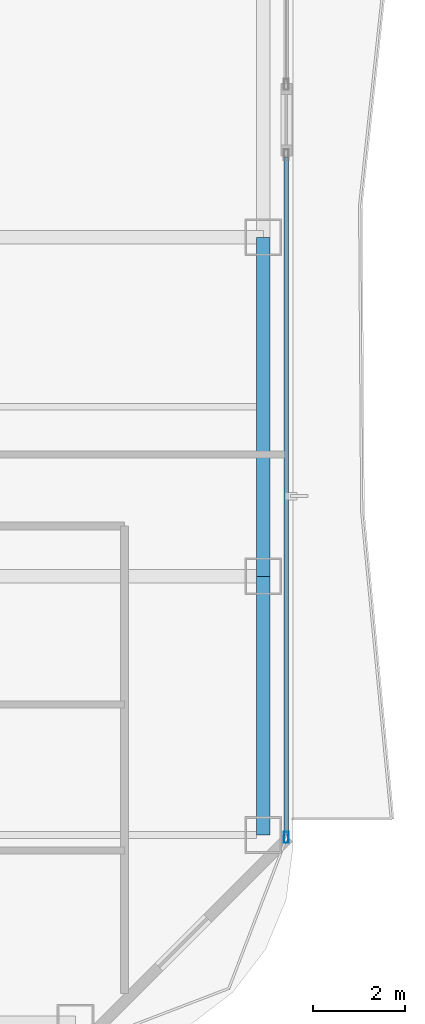
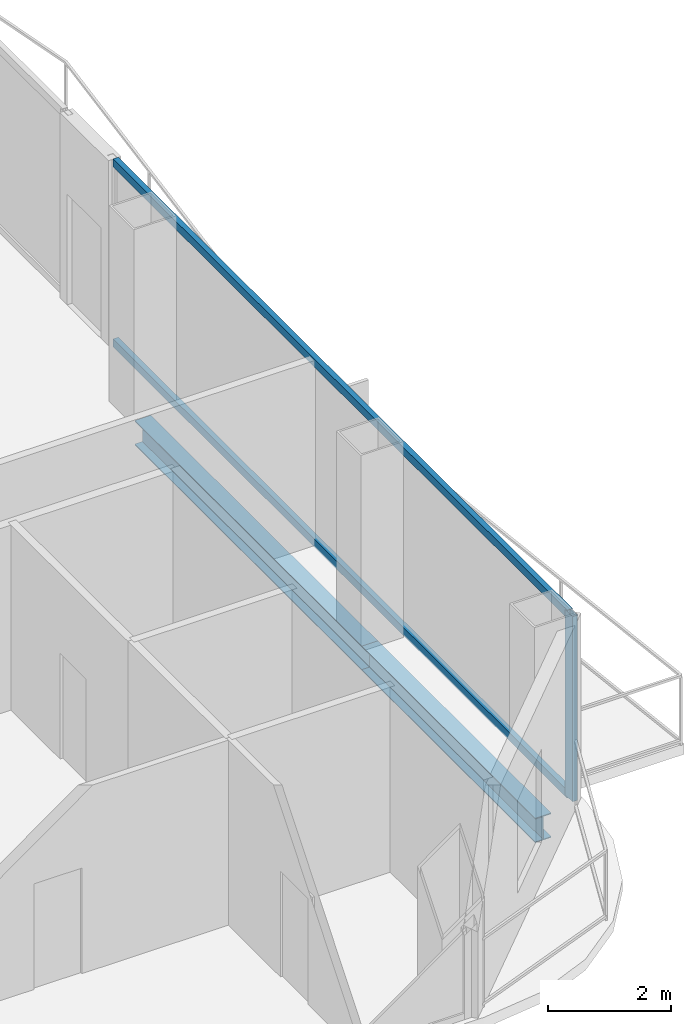
# One storey, part 10 of 30: 3 members, 2 beams, 1 element without a shape of its own.
"""IFC4 building model written with IfcOpenShell, lengths in metres."""

from ifc_helpers import new_model, si_unit, direction, frame, origin, origin_2d, place, context, subcontext, project, spatial, hollow_rectangle, i_section, extrude, material, layer, layer_set, material_profile, profile_set, type_object, element, aggregate, save


model = new_model("IFC4")

# Units and contexts
model_context = context("Model", 3, precision=1e-05, world=origin(), true_north=direction((0.0, 1.0)))
body_context = subcontext(model_context, "Body", "Model", "MODEL_VIEW")
ifc_project = project(units=[si_unit("LENGTHUNIT", "METRE"), si_unit("AREAUNIT", "SQUARE_METRE"), si_unit("VOLUMEUNIT", "CUBIC_METRE"), si_unit("PLANEANGLEUNIT", "RADIAN"), si_unit("MASSUNIT", "GRAM", prefix="KILO")], contexts=[model_context])

# Site, building, storey
site_placement = place(None, origin())
site = spatial("IfcSite", under=ifc_project, at=site_placement, CompositionType="ELEMENT")
building_placement = place(site_placement, origin())
building = spatial("IfcBuilding", under=site, at=building_placement, Name="Khorvyn Point Tower", CompositionType="ELEMENT")
storey_placement = place(building_placement, frame((0.0, 0.0, 30.60009765625)))
storey = spatial("IfcBuildingStorey", under=building, at=storey_placement, Name="L08", CompositionType="ELEMENT", Elevation=30.60009765625)

# Curtain wall, members
ifc_material_1 = material(Name="Anodised aluminium 6063-T6 and laminated Low-E glass", Category="aluminium")
ifc_layer = layer(ifc_material_1, 0.18994140625)
ifc_layer_set = layer_set([ifc_layer], Name="Stick-Built Finned Residential Curtain Wall CW-SYS-02")
curtain_wall_type = type_object("IfcCurtainWallType", Name="Stick-Built Finned Residential Curtain Wall CW-SYS-02", PredefinedType="NOTDEFINED", material=ifc_layer_set)
curtain_wall_placement = place(storey_placement, origin())
curtain_wall = element("IfcCurtainWall", 1, at=curtain_wall_placement, inside=storey, type_object=curtain_wall_type, Name="Curtain Wall", PredefinedType="NOTDEFINED")
ifc_material_2 = material(Name="Anodised aluminium 6063-T6", Category="aluminium")
ifc_material_profile_1 = material_profile(ifc_material_2, hollow_rectangle(XDim=0.10009765625, YDim=0.239990234375, WallThickness=0.0048828125, at=origin_2d()))
ifc_profile_set_1 = profile_set([ifc_material_profile_1], Name="Anodised aluminium 6063-T6 ALU-MUL-100x240")
member_type_1 = type_object("IfcMemberType", Name="Anodised Aluminium 6063-T6 Mullion ALU-MUL-100x240", PredefinedType="MULLION", material=ifc_profile_set_1)
member_1_placement = place(storey_placement, frame((27.949951171875, -20.5, 0.0), z_axis=(0.0, 0.0, 1.0), x_axis=(1.0, 0.0, 0.0)))
member_1 = element("IfcMember", 2, at=member_1_placement, type_object=member_type_1, Name="Transom", PredefinedType="MULLION", context=body_context, shape_type="SweptSolid", body=[
    extrude(hollow_rectangle(XDim=0.10009765625, YDim=0.239990234375, WallThickness=0.0048828125, at=origin_2d()), origin(), (0.0, 0.0, 1.0), 3.679931640625),
])
ifc_material_profile_2 = material_profile(ifc_material_2, hollow_rectangle(XDim=0.10009765625, YDim=0.159912109375, WallThickness=0.00439453125, at=origin_2d()))
ifc_profile_set_2 = profile_set([ifc_material_profile_2], Name="Anodised aluminium 6063-T6 ALU-TRN-100x160")
member_type_2 = type_object("IfcMemberType", Name="Anodised Aluminium 6063-T6 Transom ALU-TRN-100x160", PredefinedType="USERDEFINED", material=ifc_profile_set_2)
member_2_placement = place(storey_placement, frame((27.949951171875, -5.64990234375, 0.0498046875), z_axis=(0.0, -1.0, 0.0), x_axis=(1.0, 0.0, 0.0)))
member_2 = element("IfcMember", 3, at=member_2_placement, type_object=member_type_2, Name="Transom", ObjectType="TRANSOM", PredefinedType="USERDEFINED", context=body_context, shape_type="SweptSolid", body=[
    extrude(hollow_rectangle(XDim=0.10009765625, YDim=0.159912109375, WallThickness=0.00439453125, at=origin_2d()), origin(), (0.0, 0.0, 1.0), 14.800048828125),
])
member_3_placement = place(storey_placement, frame((27.949951171875, -5.64990234375, 3.6298828125), z_axis=(0.0, -1.0, 0.0), x_axis=(1.0, 0.0, 0.0)))
member_3 = element("IfcMember", 4, at=member_3_placement, type_object=member_type_2, Name="Transom", ObjectType="TRANSOM", PredefinedType="USERDEFINED", context=body_context, shape_type="SweptSolid", body=[
    extrude(hollow_rectangle(XDim=0.10009765625, YDim=0.159912109375, WallThickness=0.00439453125, at=origin_2d()), origin(), (0.0, 0.0, 1.0), 14.800048828125),
])
aggregate(curtain_wall, [member_1, member_2, member_3])

# Beams
ifc_material_3 = material(Name="Steel S355", Category="steel")
ifc_material_profile_3 = material_profile(ifc_material_3, i_section(OverallWidth=0.300048828125, OverallDepth=0.488037109375, WebThickness=0.010986328125, FlangeThickness=0.01806640625, at=origin_2d()))
ifc_profile_set_3 = profile_set([ifc_material_profile_3], Name="Steel S355 H488x300x11x18")
beam_type = type_object("IfcBeamType", Name="Steel S355 Spandrel H488x300x11x18", PredefinedType="SPANDREL", material=ifc_profile_set_3)
beam_1_placement = place(storey_placement, frame((27.449951171875, -20.449951171875, -0.464111328125), z_axis=(0.0, 1.0, 0.0), x_axis=(-1.0, 0.0, 0.0)))
element("IfcBeam", 5, at=beam_1_placement, inside=storey, type_object=beam_type, Name="Beam", PredefinedType="SPANDREL", context=body_context, shape_type="SweptSolid", body=[
    extrude(i_section(OverallWidth=0.300048828125, OverallDepth=0.488037109375, WebThickness=0.010986328125, FlangeThickness=0.01806640625, at=origin_2d()), origin(), (0.0, 0.0, 1.0), 5.64990234375),
])
beam_2_placement = place(storey_placement, frame((27.449951171875, -14.800048828125, -0.464111328125), z_axis=(0.0, 1.0, 0.0), x_axis=(-1.0, 0.0, 0.0)))
element("IfcBeam", 6, at=beam_2_placement, inside=storey, type_object=beam_type, Name="Beam", PredefinedType="SPANDREL", context=body_context, shape_type="SweptSolid", body=[
    extrude(i_section(OverallWidth=0.300048828125, OverallDepth=0.488037109375, WebThickness=0.010986328125, FlangeThickness=0.01806640625, at=origin_2d()), origin(), (0.0, 0.0, 1.0), 7.400146484375),
])

save(model, "model.ifc")
